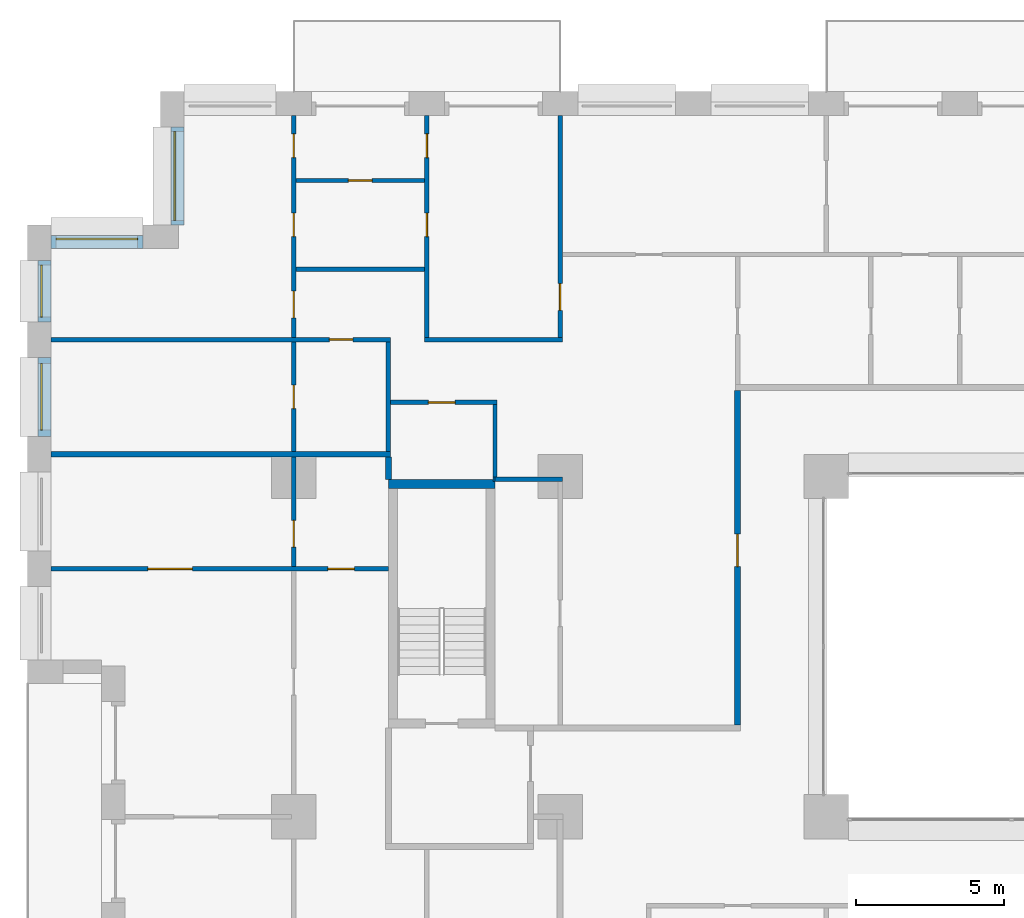
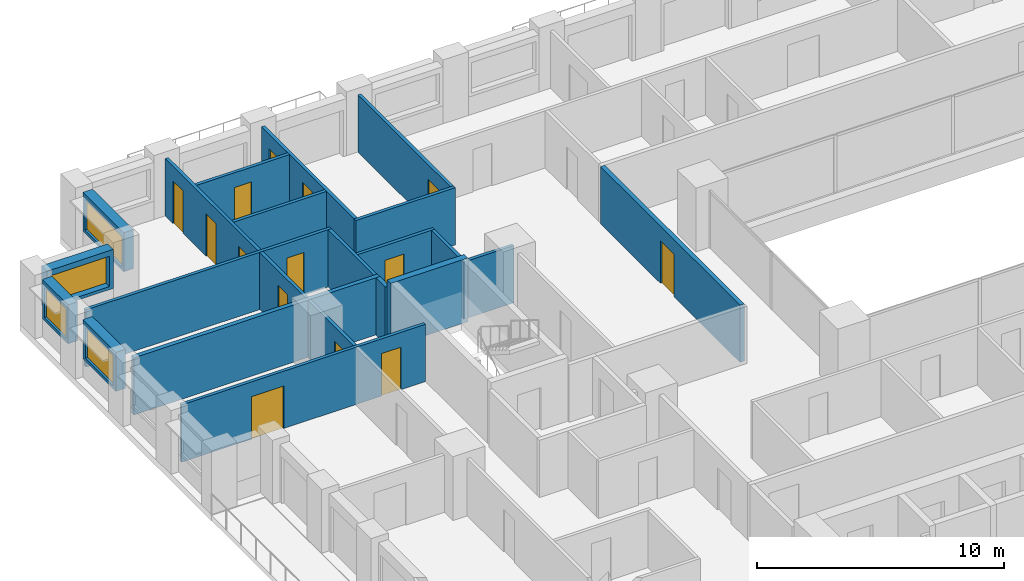
# One storey, part 13 of 20: 23 walls, 14 doors, 4 windows, 18 openings.
"""IFC4 building model written with IfcOpenShell, lengths in metres."""

from ifc_helpers import new_model, si_unit, direction, frame, frame_2d, origin, place, context, subcontext, project, spatial, rectangle, extrude, material, layer, layer_set, type_object, element, fill, save


model = new_model("IFC4")

# Units and contexts
model_context = context("Model", 3, precision=1e-05, world=origin(), true_north=direction((0.0, 1.0)))
body_context = subcontext(model_context, "Body", "Model", "MODEL_VIEW")
ifc_project = project(units=[si_unit("LENGTHUNIT", "METRE"), si_unit("AREAUNIT", "SQUARE_METRE"), si_unit("VOLUMEUNIT", "CUBIC_METRE"), si_unit("PLANEANGLEUNIT", "RADIAN"), si_unit("MASSUNIT", "GRAM", prefix="KILO")], contexts=[model_context])

# Site, building, storey
site_placement = place(None, origin())
site = spatial("IfcSite", under=ifc_project, at=site_placement, CompositionType="ELEMENT")
building_placement = place(site_placement, origin())
building = spatial("IfcBuilding", under=site, at=building_placement, Name="Brigalow Station Residences", CompositionType="ELEMENT")
storey_placement = place(building_placement, frame((0.0, 0.0, 63.60009765625)))
storey = spatial("IfcBuildingStorey", under=building, at=storey_placement, Name="L18", CompositionType="ELEMENT", Elevation=63.60009765625)

# Wall, opening, window
ifc_material_1 = material(Name="Clay brick masonry", Category="masonry")
ifc_layer_1 = layer(ifc_material_1, 0.449951171875)
ifc_layer_set_1 = layer_set([ifc_layer_1], Name="BRICK INFILL WALL 450")
wall_type_1 = type_object("IfcWallType", Name="BRICK INFILL WALL 450", PredefinedType="SOLIDWALL", material=ifc_layer_set_1)
wall_1_placement = place(storey_placement, frame((5.074951171875, 47.300048828125, 0.89990234375), z_axis=(0.0, 0.0, 1.0), x_axis=(0.0, -1.0, 0.0)))
wall_1 = element("IfcWall", 1, at=wall_1_placement, inside=storey, type_object=wall_type_1, Name="L18/ewall/W-L18-40", PredefinedType="SOLIDWALL", context=body_context, shape_type="SweptSolid", body=[
    extrude(rectangle(XDim=3.300048828125, YDim=0.449951171875, at=frame_2d((1.64990234375, 0.0))), origin(), (0.0, 0.0, 1.0), 1.929931640625),
])
opening_1_placement = place(wall_1_placement, frame((0.14990234375, 0.0, 0.14990234375)))
opening_1 = element("IfcOpeningElement", 2, at=opening_1_placement, cuts=wall_1, Name="Opening WT-2", PredefinedType="OPENING", context=body_context, shape_type="SweptSolid", body=[
    extrude(rectangle(XDim=3.0, YDim=1.5, at=frame_2d((1.5, 0.75))), frame((0.0, 0.23486328125, 0.0), z_axis=(0.0, -1.0, 0.0), x_axis=(1.0, 0.0, 0.0)), (0.0, 0.0, 1.0), 0.469970703125),
])
ifc_material_2 = material(Name="Anodised aluminium frame with double glazing", Category="aluminium")
window_type_1 = type_object("IfcWindowType", Name="WINDOW 3000x1500", PartitioningType="SINGLE_PANEL", PredefinedType="WINDOW", material=ifc_material_2)
window_1_placement = place(opening_1_placement, origin())
window_1 = element("IfcWindow", 3, at=window_1_placement, inside=storey, type_object=window_type_1, Name="L18/window/W-L18-40", OverallHeight=1.5, OverallWidth=3.0, PartitioningType="SINGLE_PANEL", PredefinedType="WINDOW", context=body_context, shape_type="SweptSolid", body=[
    extrude(rectangle(XDim=3.0, YDim=1.5, at=frame_2d((1.5, 0.75))), frame((0.0, -0.06494140625, 0.0), z_axis=(0.0, -1.0, 0.0), x_axis=(1.0, 0.0, 0.0)), (0.0, 0.0, 1.0), 0.06005859375),
])
fill(opening_1, window_1)

wall_2_placement = place(storey_placement, frame((3.89990234375, 43.425048828125, 0.89990234375), z_axis=(0.0, 0.0, 1.0), x_axis=(-1.0, 0.0, 0.0)))
wall_2 = element("IfcWall", 4, at=wall_2_placement, inside=storey, type_object=wall_type_1, Name="L18/ewall/W-L18-41", PredefinedType="SOLIDWALL", context=body_context, shape_type="SweptSolid", body=[
    extrude(rectangle(XDim=3.099853515625, YDim=0.449951171875, at=frame_2d((1.5498046875, 0.0))), origin(), (0.0, 0.0, 1.0), 1.929931640625),
])
opening_2_placement = place(wall_2_placement, frame((0.175048828125, 0.0, 0.14990234375)))
opening_2 = element("IfcOpeningElement", 5, at=opening_2_placement, cuts=wall_2, Name="Opening WT-3", PredefinedType="OPENING", context=body_context, shape_type="SweptSolid", body=[
    extrude(rectangle(XDim=2.75, YDim=1.5, at=frame_2d((1.375, 0.75))), frame((0.0, 0.23486328125, 0.0), z_axis=(0.0, -1.0, 0.0), x_axis=(1.0, 0.0, 0.0)), (0.0, 0.0, 1.0), 0.469970703125),
])
ifc_material_3 = material(Name="Anodised aluminium frame with double glazing", Category="aluminium")
window_type_2 = type_object("IfcWindowType", Name="WINDOW 2750x1500", PartitioningType="SINGLE_PANEL", PredefinedType="WINDOW", material=ifc_material_3)
window_2_placement = place(opening_2_placement, origin())
window_2 = element("IfcWindow", 6, at=window_2_placement, inside=storey, type_object=window_type_2, Name="L18/window/W-L18-41", OverallHeight=1.5, OverallWidth=2.75, PartitioningType="SINGLE_PANEL", PredefinedType="WINDOW", context=body_context, shape_type="SweptSolid", body=[
    extrude(rectangle(XDim=2.75, YDim=1.5, at=frame_2d((1.375, 0.75))), frame((0.0, -0.06494140625, 0.0), z_axis=(0.0, -1.0, 0.0), x_axis=(1.0, 0.0, 0.0)), (0.0, 0.0, 1.0), 0.06005859375),
])
fill(opening_2, window_2)

wall_3_placement = place(storey_placement, frame((0.574951171875, 42.800048828125, 0.89990234375), z_axis=(0.0, 0.0, 1.0), x_axis=(0.0, -1.0, 0.0)))
wall_3 = element("IfcWall", 7, at=wall_3_placement, inside=storey, type_object=wall_type_1, Name="L18/ewall/W-L18-42", PredefinedType="SOLIDWALL", context=body_context, shape_type="SweptSolid", body=[
    extrude(rectangle(XDim=2.074951171875, YDim=0.449951171875, at=frame_2d((1.03759765625, 0.0))), origin(), (0.0, 0.0, 1.0), 1.929931640625),
])
opening_3_placement = place(wall_3_placement, frame((0.16259765625, 0.0, 0.14990234375)))
opening_3 = element("IfcOpeningElement", 8, at=opening_3_placement, cuts=wall_3, Name="Opening WT-4", PredefinedType="OPENING", context=body_context, shape_type="SweptSolid", body=[
    extrude(rectangle(XDim=1.75, YDim=1.5, at=frame_2d((0.875, 0.75))), frame((0.0, 0.23486328125, 0.0), z_axis=(0.0, -1.0, 0.0), x_axis=(1.0, 0.0, 0.0)), (0.0, 0.0, 1.0), 0.469970703125),
])
ifc_material_4 = material(Name="Anodised aluminium frame with double glazing", Category="aluminium")
window_type_3 = type_object("IfcWindowType", Name="WINDOW 1750x1500", PartitioningType="SINGLE_PANEL", PredefinedType="WINDOW", material=ifc_material_4)
window_3_placement = place(opening_3_placement, origin())
window_3 = element("IfcWindow", 9, at=window_3_placement, inside=storey, type_object=window_type_3, Name="L18/window/W-L18-42", OverallHeight=1.5, OverallWidth=1.75, PartitioningType="SINGLE_PANEL", PredefinedType="WINDOW", context=body_context, shape_type="SweptSolid", body=[
    extrude(rectangle(XDim=1.75, YDim=1.5, at=frame_2d((0.875, 0.75))), frame((0.0, -0.06494140625, 0.0), z_axis=(0.0, -1.0, 0.0), x_axis=(1.0, 0.0, 0.0)), (0.0, 0.0, 1.0), 0.06005859375),
])
fill(opening_3, window_3)

wall_4_placement = place(storey_placement, frame((0.574951171875, 39.52490234375, 0.89990234375), z_axis=(0.0, 0.0, 1.0), x_axis=(0.0, -1.0, 0.0)))
wall_4 = element("IfcWall", 10, at=wall_4_placement, inside=storey, type_object=wall_type_1, Name="L18/ewall/W-L18-43", PredefinedType="SOLIDWALL", context=body_context, shape_type="SweptSolid", body=[
    extrude(rectangle(XDim=2.6748046875, YDim=0.449951171875, at=frame_2d((1.33740234375, 0.0))), origin(), (0.0, 0.0, 1.0), 1.929931640625),
])
opening_4_placement = place(wall_4_placement, frame((0.21240234375, 0.0, 0.14990234375)))
opening_4 = element("IfcOpeningElement", 11, at=opening_4_placement, cuts=wall_4, Name="Opening WT-6", PredefinedType="OPENING", context=body_context, shape_type="SweptSolid", body=[
    extrude(rectangle(XDim=2.25, YDim=1.5, at=frame_2d((1.125, 0.75))), frame((0.0, 0.23486328125, 0.0), z_axis=(0.0, -1.0, 0.0), x_axis=(1.0, 0.0, 0.0)), (0.0, 0.0, 1.0), 0.469970703125),
])
ifc_material_5 = material(Name="Anodised aluminium frame with double glazing", Category="aluminium")
window_type_4 = type_object("IfcWindowType", Name="WINDOW 2250x1500", PartitioningType="SINGLE_PANEL", PredefinedType="WINDOW", material=ifc_material_5)
window_4_placement = place(opening_4_placement, origin())
window_4 = element("IfcWindow", 12, at=window_4_placement, inside=storey, type_object=window_type_4, Name="L18/window/W-L18-43", OverallHeight=1.5, OverallWidth=2.25, PartitioningType="SINGLE_PANEL", PredefinedType="WINDOW", context=body_context, shape_type="SweptSolid", body=[
    extrude(rectangle(XDim=2.25, YDim=1.5, at=frame_2d((1.125, 0.75))), frame((0.0, -0.06494140625, 0.0), z_axis=(0.0, -1.0, 0.0), x_axis=(1.0, 0.0, 0.0)), (0.0, 0.0, 1.0), 0.06005859375),
])
fill(opening_4, window_4)

# Wall
ifc_material_6 = material(Name="Concrete C80", Category="concrete")
ifc_layer_2 = layer(ifc_material_6, 0.300048828125)
ifc_layer_set_2 = layer_set([ifc_layer_2], Name="CORE SHEAR WALL 300 C80")
wall_type_2 = type_object("IfcWallType", Name="CORE SHEAR WALL 300 C80", PredefinedType="SHEAR", material=ifc_layer_set_2)
wall_5_placement = place(storey_placement, frame((12.199951171875, 35.25, 0.0), z_axis=(0.0, 0.0, 1.0), x_axis=(1.0, 0.0, 0.0)))
element("IfcWall", 13, at=wall_5_placement, inside=storey, type_object=wall_type_2, Name="CORE WALL ST-S1-N L18", PredefinedType="SHEAR", context=body_context, shape_type="SweptSolid", body=[
    extrude(rectangle(XDim=3.60009765625, YDim=0.300048828125, at=frame_2d((1.800048828125, 0.0))), origin(), (0.0, 0.0, 1.0), 3.14990234375),
])

# Wall, openings, doors
ifc_material_7 = material(Name="Plasterboard on steel stud partition", Category="steel")
ifc_layer_3 = layer(ifc_material_7, 0.14990234375)
ifc_layer_set_3 = layer_set([ifc_layer_3], Name="FLAT PARTITION 150")
wall_type_3 = type_object("IfcWallType", Name="FLAT PARTITION 150", PredefinedType="PARTITIONING", material=ifc_layer_set_3)
wall_6_placement = place(storey_placement, frame((0.800048828125, 32.375, 0.0), z_axis=(0.0, 0.0, 1.0), x_axis=(1.0, 0.0, 0.0)))
wall_6 = element("IfcWall", 14, at=wall_6_placement, inside=storey, type_object=wall_type_3, Name="PW-1F18", PredefinedType="PARTITIONING", context=body_context, shape_type="SweptSolid", body=[
    extrude(rectangle(XDim=11.39990234375, YDim=0.14990234375, at=frame_2d((5.699951171875, 0.0))), origin(), (0.0, 0.0, 1.0), 2.829833984375),
])
opening_5_placement = place(wall_6_placement, frame((3.27490234375, 0.0, 0.0)))
opening_5 = element("IfcOpeningElement", 15, at=opening_5_placement, cuts=wall_6, Name="Opening D-1F06", PredefinedType="OPENING", context=body_context, shape_type="SweptSolid", body=[
    extrude(rectangle(XDim=1.5, YDim=2.10009765625, at=frame_2d((0.75, 1.050048828125))), frame((0.0, 0.0849609375, 0.0), z_axis=(0.0, -1.0, 0.0), x_axis=(1.0, 0.0, 0.0)), (0.0, 0.0, 1.0), 0.169921875),
])
opening_6_placement = place(wall_6_placement, frame((9.35009765625, 0.0, 0.0)))
opening_6 = element("IfcOpeningElement", 16, at=opening_6_placement, cuts=wall_6, Name="Opening D-1F12", PredefinedType="OPENING", context=body_context, shape_type="SweptSolid", body=[
    extrude(rectangle(XDim=0.89990234375, YDim=2.10009765625, at=frame_2d((0.449951171875, 1.050048828125))), frame((0.0, 0.0849609375, 0.0), z_axis=(0.0, -1.0, 0.0), x_axis=(1.0, 0.0, 0.0)), (0.0, 0.0, 1.0), 0.169921875),
])
ifc_material_8 = material(Name="Solid-core timber door leaf", Category="wood")
door_type_1 = type_object("IfcDoorType", Name="INTERNAL DOOR 900 x 2100", OperationType="SINGLE_SWING_LEFT", PredefinedType="DOOR", material=ifc_material_8)
door_1_placement = place(opening_6_placement, origin())
door_1 = element("IfcDoor", 17, at=door_1_placement, inside=storey, type_object=door_type_1, Name="D-1F12", OperationType="SINGLE_SWING_LEFT", OverallHeight=2.10009765625, OverallWidth=0.89990234375, PredefinedType="DOOR", context=body_context, shape_type="SweptSolid", body=[
    extrude(rectangle(XDim=0.89990234375, YDim=2.10009765625, at=frame_2d((0.449951171875, 1.050048828125))), frame((0.0, 0.02490234375, 0.0), z_axis=(0.0, -1.0, 0.0), x_axis=(1.0, 0.0, 0.0)), (0.0, 0.0, 1.0), 0.050048828125),
])
fill(opening_6, door_1)
ifc_material_9 = material(Name="Solid-core timber door leaf", Category="wood")
door_type_2 = type_object("IfcDoorType", Name="INTERNAL DOUBLE DOOR 1500 x 2100", OperationType="DOUBLE_DOOR_SINGLE_SWING", PredefinedType="DOOR", material=ifc_material_9)
door_2_placement = place(opening_5_placement, origin())
door_2 = element("IfcDoor", 18, at=door_2_placement, inside=storey, type_object=door_type_2, Name="D-1F06", OperationType="DOUBLE_DOOR_SINGLE_SWING", OverallHeight=2.10009765625, OverallWidth=1.5, PredefinedType="DOOR", context=body_context, shape_type="SweptSolid", body=[
    extrude(rectangle(XDim=1.5, YDim=2.10009765625, at=frame_2d((0.75, 1.050048828125))), frame((0.0, 0.02490234375, 0.0), z_axis=(0.0, -1.0, 0.0), x_axis=(1.0, 0.0, 0.0)), (0.0, 0.0, 1.0), 0.050048828125),
])
fill(opening_5, door_2)

# Walls
wall_7_placement = place(storey_placement, frame((15.72509765625, 35.39990234375, 0.0), z_axis=(0.0, 0.0, 1.0), x_axis=(1.0, 0.0, 0.0)))
element("IfcWall", 19, at=wall_7_placement, inside=storey, type_object=wall_type_3, Name="PW-1F24", PredefinedType="PARTITIONING", context=body_context, shape_type="SweptSolid", body=[
    extrude(rectangle(XDim=0.074951171875, YDim=0.14990234375, at=frame_2d((0.03759765625, 0.0))), origin(), (0.0, 0.0, 1.0), 2.829833984375),
])
wall_8_placement = place(storey_placement, frame((15.800048828125, 35.39990234375, 0.0), z_axis=(0.0, 0.0, 1.0), x_axis=(1.0, 0.0, 0.0)))
element("IfcWall", 20, at=wall_8_placement, inside=storey, type_object=wall_type_3, Name="PW-1F25", PredefinedType="PARTITIONING", context=body_context, shape_type="SweptSolid", body=[
    extrude(rectangle(XDim=2.27490234375, YDim=0.14990234375, at=frame_2d((1.137451171875, 0.0))), origin(), (0.0, 0.0, 1.0), 2.829833984375),
])

# Wall, opening, door
wall_9_placement = place(storey_placement, frame((0.800048828125, 40.125, 0.0), z_axis=(0.0, 0.0, 1.0), x_axis=(1.0, 0.0, 0.0)))
wall_9 = element("IfcWall", 21, at=wall_9_placement, inside=storey, type_object=wall_type_3, Name="PW-1F29", PredefinedType="PARTITIONING", context=body_context, shape_type="SweptSolid", body=[
    extrude(rectangle(XDim=11.474853515625, YDim=0.14990234375, at=frame_2d((5.7373046875, 0.0))), origin(), (0.0, 0.0, 1.0), 2.829833984375),
])
opening_7_placement = place(wall_9_placement, frame((9.39990234375, 0.0, 0.0)))
opening_7 = element("IfcOpeningElement", 22, at=opening_7_placement, cuts=wall_9, Name="Opening D-1F33", PredefinedType="OPENING", context=body_context, shape_type="SweptSolid", body=[
    extrude(rectangle(XDim=0.800048828125, YDim=2.10009765625, at=frame_2d((0.39990234375, 1.050048828125))), frame((0.0, 0.0849609375, 0.0), z_axis=(0.0, -1.0, 0.0), x_axis=(1.0, 0.0, 0.0)), (0.0, 0.0, 1.0), 0.169921875),
])
ifc_material_10 = material(Name="Solid-core timber door leaf", Category="wood")
door_type_3 = type_object("IfcDoorType", Name="INTERNAL DOOR 800 x 2100", OperationType="SINGLE_SWING_LEFT", PredefinedType="DOOR", material=ifc_material_10)
door_3_placement = place(opening_7_placement, frame((0.800048828125, 0.0, 0.0), z_axis=(0.0, 0.0, 1.0), x_axis=(-1.0, 0.0, 0.0)))
door_3 = element("IfcDoor", 23, at=door_3_placement, inside=storey, type_object=door_type_3, Name="D-1F33", OperationType="SINGLE_SWING_RIGHT", OverallHeight=2.10009765625, OverallWidth=0.800048828125, PredefinedType="DOOR", context=body_context, shape_type="SweptSolid", body=[
    extrude(rectangle(XDim=0.800048828125, YDim=2.10009765625, at=frame_2d((0.39990234375, 1.050048828125))), frame((0.0, 0.02490234375, 0.0), z_axis=(0.0, -1.0, 0.0), x_axis=(1.0, 0.0, 0.0)), (0.0, 0.0, 1.0), 0.050048828125),
])
fill(opening_7, door_3)

# Wall
wall_10_placement = place(storey_placement, frame((13.425048828125, 40.125, 0.0), z_axis=(0.0, 0.0, 1.0), x_axis=(1.0, 0.0, 0.0)))
element("IfcWall", 24, at=wall_10_placement, inside=storey, type_object=wall_type_3, Name="PW-1F30", PredefinedType="PARTITIONING", context=body_context, shape_type="SweptSolid", body=[
    extrude(rectangle(XDim=4.64990234375, YDim=0.14990234375, at=frame_2d((2.324951171875, 0.0))), origin(), (0.0, 0.0, 1.0), 2.829833984375),
])

# Wall, opening, door
wall_11_placement = place(storey_placement, frame((12.27490234375, 38.0, 0.0), z_axis=(0.0, 0.0, 1.0), x_axis=(1.0, 0.0, 0.0)))
wall_11 = element("IfcWall", 25, at=wall_11_placement, inside=storey, type_object=wall_type_3, Name="PW-1F32", PredefinedType="PARTITIONING", context=body_context, shape_type="SweptSolid", body=[
    extrude(rectangle(XDim=3.60009765625, YDim=0.14990234375, at=frame_2d((1.800048828125, 0.0))), origin(), (0.0, 0.0, 1.0), 2.829833984375),
])
opening_8_placement = place(wall_11_placement, frame((1.27490234375, 0.0, 0.0)))
opening_8 = element("IfcOpeningElement", 26, at=opening_8_placement, cuts=wall_11, Name="Opening D-1F32", PredefinedType="OPENING", context=body_context, shape_type="SweptSolid", body=[
    extrude(rectangle(XDim=0.89990234375, YDim=2.10009765625, at=frame_2d((0.449951171875, 1.050048828125))), frame((0.0, 0.0849609375, 0.0), z_axis=(0.0, -1.0, 0.0), x_axis=(1.0, 0.0, 0.0)), (0.0, 0.0, 1.0), 0.169921875),
])
door_4_placement = place(opening_8_placement, frame((0.89990234375, 0.0, 0.0), z_axis=(0.0, 0.0, 1.0), x_axis=(-1.0, 0.0, 0.0)))
door_4 = element("IfcDoor", 27, at=door_4_placement, inside=storey, type_object=door_type_1, Name="D-1F32", OperationType="SINGLE_SWING_LEFT", OverallHeight=2.10009765625, OverallWidth=0.89990234375, PredefinedType="DOOR", context=body_context, shape_type="SweptSolid", body=[
    extrude(rectangle(XDim=0.89990234375, YDim=2.10009765625, at=frame_2d((0.449951171875, 1.050048828125))), frame((0.0, 0.02490234375, 0.0), z_axis=(0.0, -1.0, 0.0), x_axis=(1.0, 0.0, 0.0)), (0.0, 0.0, 1.0), 0.050048828125),
])
fill(opening_8, door_4)

# Wall
wall_12_placement = place(storey_placement, frame((9.074951171875, 42.5, 0.0), z_axis=(0.0, 0.0, 1.0), x_axis=(1.0, 0.0, 0.0)))
element("IfcWall", 28, at=wall_12_placement, inside=storey, type_object=wall_type_3, Name="PW-1F33", PredefinedType="PARTITIONING", context=body_context, shape_type="SweptSolid", body=[
    extrude(rectangle(XDim=4.35009765625, YDim=0.14990234375, at=frame_2d((2.175048828125, 0.0))), origin(), (0.0, 0.0, 1.0), 2.829833984375),
])

# Wall, opening, door
wall_13_placement = place(storey_placement, frame((9.074951171875, 45.5, 0.0), z_axis=(0.0, 0.0, 1.0), x_axis=(1.0, 0.0, 0.0)))
wall_13 = element("IfcWall", 29, at=wall_13_placement, inside=storey, type_object=wall_type_3, Name="PW-1F34", PredefinedType="PARTITIONING", context=body_context, shape_type="SweptSolid", body=[
    extrude(rectangle(XDim=4.35009765625, YDim=0.14990234375, at=frame_2d((2.175048828125, 0.0))), origin(), (0.0, 0.0, 1.0), 2.829833984375),
])
opening_9_placement = place(wall_13_placement, frame((1.77490234375, 0.0, 0.0)))
opening_9 = element("IfcOpeningElement", 30, at=opening_9_placement, cuts=wall_13, Name="Opening D-1F25", PredefinedType="OPENING", context=body_context, shape_type="SweptSolid", body=[
    extrude(rectangle(XDim=0.800048828125, YDim=2.10009765625, at=frame_2d((0.39990234375, 1.050048828125))), frame((0.0, 0.0849609375, 0.0), z_axis=(0.0, -1.0, 0.0), x_axis=(1.0, 0.0, 0.0)), (0.0, 0.0, 1.0), 0.169921875),
])
door_5_placement = place(opening_9_placement, origin())
door_5 = element("IfcDoor", 31, at=door_5_placement, inside=storey, type_object=door_type_3, Name="D-1F25", OperationType="SINGLE_SWING_RIGHT", OverallHeight=2.10009765625, OverallWidth=0.800048828125, PredefinedType="DOOR", context=body_context, shape_type="SweptSolid", body=[
    extrude(rectangle(XDim=0.800048828125, YDim=2.10009765625, at=frame_2d((0.39990234375, 1.050048828125))), frame((0.0, 0.02490234375, 0.0), z_axis=(0.0, -1.0, 0.0), x_axis=(1.0, 0.0, 0.0)), (0.0, 0.0, 1.0), 0.050048828125),
])
fill(opening_9, door_5)

wall_14_placement = place(storey_placement, frame((18.0, 40.199951171875, 0.0), z_axis=(0.0, 0.0, 1.0), x_axis=(0.0, 1.0, 0.0)))
wall_14 = element("IfcWall", 32, at=wall_14_placement, inside=storey, type_object=wall_type_3, Name="PW-1F39", PredefinedType="PARTITIONING", context=body_context, shape_type="SweptSolid", body=[
    extrude(rectangle(XDim=7.5, YDim=0.14990234375, at=frame_2d((3.75, 0.0))), origin(), (0.0, 0.0, 1.0), 2.829833984375),
])
opening_10_placement = place(wall_14_placement, frame((0.912109375, 0.0, 0.0)))
opening_10 = element("IfcOpeningElement", 33, at=opening_10_placement, cuts=wall_14, Name="Opening D-1F20", PredefinedType="OPENING", context=body_context, shape_type="SweptSolid", body=[
    extrude(rectangle(XDim=0.89990234375, YDim=2.10009765625, at=frame_2d((0.449951171875, 1.050048828125))), frame((0.0, 0.0849609375, 0.0), z_axis=(0.0, -1.0, 0.0), x_axis=(1.0, 0.0, 0.0)), (0.0, 0.0, 1.0), 0.169921875),
])
door_6_placement = place(opening_10_placement, origin())
door_6 = element("IfcDoor", 34, at=door_6_placement, inside=storey, type_object=door_type_1, Name="D-1F20", OperationType="SINGLE_SWING_LEFT", OverallHeight=2.10009765625, OverallWidth=0.89990234375, PredefinedType="DOOR", context=body_context, shape_type="SweptSolid", body=[
    extrude(rectangle(XDim=0.89990234375, YDim=2.10009765625, at=frame_2d((0.449951171875, 1.050048828125))), frame((0.0, 0.02490234375, 0.0), z_axis=(0.0, -1.0, 0.0), x_axis=(1.0, 0.0, 0.0)), (0.0, 0.0, 1.0), 0.050048828125),
])
fill(opening_10, door_6)

wall_15_placement = place(storey_placement, frame((9.0, 32.449951171875, 0.0), z_axis=(0.0, 0.0, 1.0), x_axis=(0.0, 1.0, 0.0)))
wall_15 = element("IfcWall", 35, at=wall_15_placement, inside=storey, type_object=wall_type_3, Name="PW-1F52", PredefinedType="PARTITIONING", context=body_context, shape_type="SweptSolid", body=[
    extrude(rectangle(XDim=3.699951171875, YDim=0.14990234375, at=frame_2d((1.85009765625, 0.0))), origin(), (0.0, 0.0, 1.0), 2.829833984375),
])
opening_11_placement = place(wall_15_placement, frame((0.662109375, 0.0, 0.0)))
opening_11 = element("IfcOpeningElement", 36, at=opening_11_placement, cuts=wall_15, Name="Opening D-1F11", PredefinedType="OPENING", context=body_context, shape_type="SweptSolid", body=[
    extrude(rectangle(XDim=0.89990234375, YDim=2.10009765625, at=frame_2d((0.449951171875, 1.050048828125))), frame((0.0, 0.0849609375, 0.0), z_axis=(0.0, -1.0, 0.0), x_axis=(1.0, 0.0, 0.0)), (0.0, 0.0, 1.0), 0.169921875),
])
door_7_placement = place(opening_11_placement, frame((0.89990234375, 0.0, 0.0), z_axis=(0.0, 0.0, 1.0), x_axis=(-1.0, 0.0, 0.0)))
door_7 = element("IfcDoor", 37, at=door_7_placement, inside=storey, type_object=door_type_1, Name="D-1F11", OperationType="SINGLE_SWING_RIGHT", OverallHeight=2.10009765625, OverallWidth=0.89990234375, PredefinedType="DOOR", context=body_context, shape_type="SweptSolid", body=[
    extrude(rectangle(XDim=0.89990234375, YDim=2.10009765625, at=frame_2d((0.449951171875, 1.050048828125))), frame((0.0, 0.02490234375, 0.0), z_axis=(0.0, -1.0, 0.0), x_axis=(1.0, 0.0, 0.0)), (0.0, 0.0, 1.0), 0.050048828125),
])
fill(opening_11, door_7)

wall_16_placement = place(storey_placement, frame((9.0, 36.35009765625, 0.0), z_axis=(0.0, 0.0, 1.0), x_axis=(0.0, 1.0, 0.0)))
wall_16 = element("IfcWall", 38, at=wall_16_placement, inside=storey, type_object=wall_type_3, Name="PW-1F53", PredefinedType="PARTITIONING", context=body_context, shape_type="SweptSolid", body=[
    extrude(rectangle(XDim=3.699951171875, YDim=0.14990234375, at=frame_2d((1.85009765625, 0.0))), origin(), (0.0, 0.0, 1.0), 2.829833984375),
])
opening_12_placement = place(wall_16_placement, frame((1.43798828125, 0.0, 0.0)))
opening_12 = element("IfcOpeningElement", 39, at=opening_12_placement, cuts=wall_16, Name="Opening D-1F21", PredefinedType="OPENING", context=body_context, shape_type="SweptSolid", body=[
    extrude(rectangle(XDim=0.800048828125, YDim=2.10009765625, at=frame_2d((0.39990234375, 1.050048828125))), frame((0.0, 0.0849609375, 0.0), z_axis=(0.0, -1.0, 0.0), x_axis=(1.0, 0.0, 0.0)), (0.0, 0.0, 1.0), 0.169921875),
])
door_8_placement = place(opening_12_placement, frame((0.800048828125, 0.0, 0.0), z_axis=(0.0, 0.0, 1.0), x_axis=(-1.0, 0.0, 0.0)))
door_8 = element("IfcDoor", 40, at=door_8_placement, inside=storey, type_object=door_type_3, Name="D-1F21", OperationType="SINGLE_SWING_RIGHT", OverallHeight=2.10009765625, OverallWidth=0.800048828125, PredefinedType="DOOR", context=body_context, shape_type="SweptSolid", body=[
    extrude(rectangle(XDim=0.800048828125, YDim=2.10009765625, at=frame_2d((0.39990234375, 1.050048828125))), frame((0.0, 0.02490234375, 0.0), z_axis=(0.0, -1.0, 0.0), x_axis=(1.0, 0.0, 0.0)), (0.0, 0.0, 1.0), 0.050048828125),
])
fill(opening_12, door_8)

# Wall, openings, doors
wall_17_placement = place(storey_placement, frame((9.0, 40.199951171875, 0.0), z_axis=(0.0, 0.0, 1.0), x_axis=(0.0, 1.0, 0.0)))
wall_17 = element("IfcWall", 41, at=wall_17_placement, inside=storey, type_object=wall_type_3, Name="PW-1F54", PredefinedType="PARTITIONING", context=body_context, shape_type="SweptSolid", body=[
    extrude(rectangle(XDim=7.5, YDim=0.14990234375, at=frame_2d((3.75, 0.0))), origin(), (0.0, 0.0, 1.0), 2.829833984375),
])
opening_13_placement = place(wall_17_placement, frame((6.074951171875, 0.0, 0.0)))
opening_13 = element("IfcOpeningElement", 42, at=opening_13_placement, cuts=wall_17, Name="Opening D-1F26", PredefinedType="OPENING", context=body_context, shape_type="SweptSolid", body=[
    extrude(rectangle(XDim=0.800048828125, YDim=2.10009765625, at=frame_2d((0.39990234375, 1.050048828125))), frame((0.0, 0.0849609375, 0.0), z_axis=(0.0, -1.0, 0.0), x_axis=(1.0, 0.0, 0.0)), (0.0, 0.0, 1.0), 0.169921875),
])
opening_14_placement = place(wall_17_placement, frame((3.39990234375, 0.0, 0.0)))
opening_14 = element("IfcOpeningElement", 43, at=opening_14_placement, cuts=wall_17, Name="Opening D-1F27", PredefinedType="OPENING", context=body_context, shape_type="SweptSolid", body=[
    extrude(rectangle(XDim=0.800048828125, YDim=2.10009765625, at=frame_2d((0.39990234375, 1.050048828125))), frame((0.0, 0.0849609375, 0.0), z_axis=(0.0, -1.0, 0.0), x_axis=(1.0, 0.0, 0.0)), (0.0, 0.0, 1.0), 0.169921875),
])
opening_15_placement = place(wall_17_placement, frame((0.662109375, 0.0, 0.0)))
opening_15 = element("IfcOpeningElement", 44, at=opening_15_placement, cuts=wall_17, Name="Opening D-1F31", PredefinedType="OPENING", context=body_context, shape_type="SweptSolid", body=[
    extrude(rectangle(XDim=0.89990234375, YDim=2.10009765625, at=frame_2d((0.449951171875, 1.050048828125))), frame((0.0, 0.0849609375, 0.0), z_axis=(0.0, -1.0, 0.0), x_axis=(1.0, 0.0, 0.0)), (0.0, 0.0, 1.0), 0.169921875),
])
door_9_placement = place(opening_13_placement, frame((0.800048828125, 0.0, 0.0), z_axis=(0.0, 0.0, 1.0), x_axis=(-1.0, 0.0, 0.0)))
door_9 = element("IfcDoor", 45, at=door_9_placement, inside=storey, type_object=door_type_3, Name="D-1F26", OperationType="SINGLE_SWING_LEFT", OverallHeight=2.10009765625, OverallWidth=0.800048828125, PredefinedType="DOOR", context=body_context, shape_type="SweptSolid", body=[
    extrude(rectangle(XDim=0.800048828125, YDim=2.10009765625, at=frame_2d((0.39990234375, 1.050048828125))), frame((0.0, 0.02490234375, 0.0), z_axis=(0.0, -1.0, 0.0), x_axis=(1.0, 0.0, 0.0)), (0.0, 0.0, 1.0), 0.050048828125),
])
fill(opening_13, door_9)
door_10_placement = place(opening_14_placement, frame((0.800048828125, 0.0, 0.0), z_axis=(0.0, 0.0, 1.0), x_axis=(-1.0, 0.0, 0.0)))
door_10 = element("IfcDoor", 46, at=door_10_placement, inside=storey, type_object=door_type_3, Name="D-1F27", OperationType="SINGLE_SWING_LEFT", OverallHeight=2.10009765625, OverallWidth=0.800048828125, PredefinedType="DOOR", context=body_context, shape_type="SweptSolid", body=[
    extrude(rectangle(XDim=0.800048828125, YDim=2.10009765625, at=frame_2d((0.39990234375, 1.050048828125))), frame((0.0, 0.02490234375, 0.0), z_axis=(0.0, -1.0, 0.0), x_axis=(1.0, 0.0, 0.0)), (0.0, 0.0, 1.0), 0.050048828125),
])
fill(opening_14, door_10)
door_11_placement = place(opening_15_placement, origin())
door_11 = element("IfcDoor", 47, at=door_11_placement, inside=storey, type_object=door_type_1, Name="D-1F31", OperationType="SINGLE_SWING_LEFT", OverallHeight=2.10009765625, OverallWidth=0.89990234375, PredefinedType="DOOR", context=body_context, shape_type="SweptSolid", body=[
    extrude(rectangle(XDim=0.89990234375, YDim=2.10009765625, at=frame_2d((0.449951171875, 1.050048828125))), frame((0.0, 0.02490234375, 0.0), z_axis=(0.0, -1.0, 0.0), x_axis=(1.0, 0.0, 0.0)), (0.0, 0.0, 1.0), 0.050048828125),
])
fill(opening_15, door_11)

wall_18_placement = place(storey_placement, frame((13.5, 40.199951171875, 0.0), z_axis=(0.0, 0.0, 1.0), x_axis=(0.0, 1.0, 0.0)))
wall_18 = element("IfcWall", 48, at=wall_18_placement, inside=storey, type_object=wall_type_3, Name="PW-1F58", PredefinedType="PARTITIONING", context=body_context, shape_type="SweptSolid", body=[
    extrude(rectangle(XDim=7.5, YDim=0.14990234375, at=frame_2d((3.75, 0.0))), origin(), (0.0, 0.0, 1.0), 2.829833984375),
])
opening_16_placement = place(wall_18_placement, frame((6.074951171875, 0.0, 0.0)))
opening_16 = element("IfcOpeningElement", 49, at=opening_16_placement, cuts=wall_18, Name="Opening D-1F18", PredefinedType="OPENING", context=body_context, shape_type="SweptSolid", body=[
    extrude(rectangle(XDim=0.800048828125, YDim=2.10009765625, at=frame_2d((0.39990234375, 1.050048828125))), frame((0.0, 0.0849609375, 0.0), z_axis=(0.0, -1.0, 0.0), x_axis=(1.0, 0.0, 0.0)), (0.0, 0.0, 1.0), 0.169921875),
])
opening_17_placement = place(wall_18_placement, frame((3.39990234375, 0.0, 0.0)))
opening_17 = element("IfcOpeningElement", 50, at=opening_17_placement, cuts=wall_18, Name="Opening D-1F19", PredefinedType="OPENING", context=body_context, shape_type="SweptSolid", body=[
    extrude(rectangle(XDim=0.800048828125, YDim=2.10009765625, at=frame_2d((0.39990234375, 1.050048828125))), frame((0.0, 0.0849609375, 0.0), z_axis=(0.0, -1.0, 0.0), x_axis=(1.0, 0.0, 0.0)), (0.0, 0.0, 1.0), 0.169921875),
])
door_12_placement = place(opening_16_placement, origin())
door_12 = element("IfcDoor", 51, at=door_12_placement, inside=storey, type_object=door_type_3, Name="D-1F18", OperationType="SINGLE_SWING_RIGHT", OverallHeight=2.10009765625, OverallWidth=0.800048828125, PredefinedType="DOOR", context=body_context, shape_type="SweptSolid", body=[
    extrude(rectangle(XDim=0.800048828125, YDim=2.10009765625, at=frame_2d((0.39990234375, 1.050048828125))), frame((0.0, 0.02490234375, 0.0), z_axis=(0.0, -1.0, 0.0), x_axis=(1.0, 0.0, 0.0)), (0.0, 0.0, 1.0), 0.050048828125),
])
fill(opening_16, door_12)
door_13_placement = place(opening_17_placement, origin())
door_13 = element("IfcDoor", 52, at=door_13_placement, inside=storey, type_object=door_type_3, Name="D-1F19", OperationType="SINGLE_SWING_RIGHT", OverallHeight=2.10009765625, OverallWidth=0.800048828125, PredefinedType="DOOR", context=body_context, shape_type="SweptSolid", body=[
    extrude(rectangle(XDim=0.800048828125, YDim=2.10009765625, at=frame_2d((0.39990234375, 1.050048828125))), frame((0.0, 0.02490234375, 0.0), z_axis=(0.0, -1.0, 0.0), x_axis=(1.0, 0.0, 0.0)), (0.0, 0.0, 1.0), 0.050048828125),
])
fill(opening_17, door_13)

# Walls
wall_19_placement = place(storey_placement, frame((12.199951171875, 36.35009765625, 0.0), z_axis=(0.0, 0.0, 1.0), x_axis=(0.0, 1.0, 0.0)))
element("IfcWall", 53, at=wall_19_placement, inside=storey, type_object=wall_type_3, Name="PW-1F60", PredefinedType="PARTITIONING", context=body_context, shape_type="SweptSolid", body=[
    extrude(rectangle(XDim=3.699951171875, YDim=0.14990234375, at=frame_2d((1.85009765625, 0.0))), origin(), (0.0, 0.0, 1.0), 2.829833984375),
])
wall_20_placement = place(storey_placement, frame((15.800048828125, 35.47509765625, 0.0), z_axis=(0.0, 0.0, 1.0), x_axis=(0.0, 1.0, 0.0)))
element("IfcWall", 54, at=wall_20_placement, inside=storey, type_object=wall_type_3, Name="PW-1F62", PredefinedType="PARTITIONING", context=body_context, shape_type="SweptSolid", body=[
    extrude(rectangle(XDim=2.449951171875, YDim=0.14990234375, at=frame_2d((1.22509765625, 0.0))), origin(), (0.0, 0.0, 1.0), 2.829833984375),
])
ifc_material_11 = material(Name="Plasterboard on steel stud partition", Category="steel")
ifc_layer_4 = layer(ifc_material_11, 0.199951171875)
ifc_layer_set_4 = layer_set([ifc_layer_4], Name="PARTY AND CORRIDOR WALL 200")
wall_type_4 = type_object("IfcWallType", Name="PARTY AND CORRIDOR WALL 200", PredefinedType="PARTITIONING", material=ifc_layer_set_4)
wall_21_placement = place(storey_placement, frame((0.800048828125, 36.25, 0.0), z_axis=(0.0, 0.0, 1.0), x_axis=(1.0, 0.0, 0.0)))
element("IfcWall", 55, at=wall_21_placement, inside=storey, type_object=wall_type_4, Name="PW-1F20", PredefinedType="PARTITIONING", context=body_context, shape_type="SweptSolid", body=[
    extrude(rectangle(XDim=11.474853515625, YDim=0.199951171875, at=frame_2d((5.7373046875, 0.0))), origin(), (0.0, 0.0, 1.0), 2.829833984375),
])

# Wall, opening, door
wall_22_placement = place(storey_placement, frame((24.0, 27.10009765625, 0.0), z_axis=(0.0, 0.0, 1.0), x_axis=(0.0, 1.0, 0.0)))
wall_22 = element("IfcWall", 56, at=wall_22_placement, inside=storey, type_object=wall_type_4, Name="PW-1F47", PredefinedType="PARTITIONING", context=body_context, shape_type="SweptSolid", body=[
    extrude(rectangle(XDim=11.2998046875, YDim=0.199951171875, at=frame_2d((5.64990234375, 0.0))), origin(), (0.0, 0.0, 1.0), 2.829833984375),
])
opening_18_placement = place(wall_22_placement, frame((5.35009765625, 0.0, 0.0)))
opening_18 = element("IfcOpeningElement", 57, at=opening_18_placement, cuts=wall_22, Name="Opening D-1F36", PredefinedType="OPENING", context=body_context, shape_type="SweptSolid", body=[
    extrude(rectangle(XDim=1.10009765625, YDim=2.10009765625, at=frame_2d((0.550048828125, 1.050048828125))), frame((0.0, 0.10986328125, 0.0), z_axis=(0.0, -1.0, 0.0), x_axis=(1.0, 0.0, 0.0)), (0.0, 0.0, 1.0), 0.219970703125),
])
ifc_material_12 = material(Name="Solid-core timber door leaf", Category="wood")
door_type_4 = type_object("IfcDoorType", Name="FLAT ENTRANCE DOOR 1100 x 2100 FRL -/60/30", OperationType="SINGLE_SWING_LEFT", PredefinedType="DOOR", material=ifc_material_12)
door_14_placement = place(opening_18_placement, origin())
door_14 = element("IfcDoor", 58, at=door_14_placement, inside=storey, type_object=door_type_4, Name="D-1F36", OperationType="SINGLE_SWING_LEFT", OverallHeight=2.10009765625, OverallWidth=1.10009765625, PredefinedType="DOOR", context=body_context, shape_type="SweptSolid", body=[
    extrude(rectangle(XDim=1.10009765625, YDim=2.10009765625, at=frame_2d((0.550048828125, 1.050048828125))), frame((0.0, 0.02490234375, 0.0), z_axis=(0.0, -1.0, 0.0), x_axis=(1.0, 0.0, 0.0)), (0.0, 0.0, 1.0), 0.050048828125),
])
fill(opening_18, door_14)

# Wall
wall_23_placement = place(storey_placement, frame((12.199951171875, 35.39990234375, 0.0), z_axis=(0.0, 0.0, 1.0), x_axis=(0.0, 1.0, 0.0)))
element("IfcWall", 59, at=wall_23_placement, inside=storey, type_object=wall_type_4, Name="PW-1F61", PredefinedType="PARTITIONING", context=body_context, shape_type="SweptSolid", body=[
    extrude(rectangle(XDim=0.75, YDim=0.199951171875, at=frame_2d((0.375, 0.0))), origin(), (0.0, 0.0, 1.0), 2.829833984375),
])

save(model, "model.ifc")
